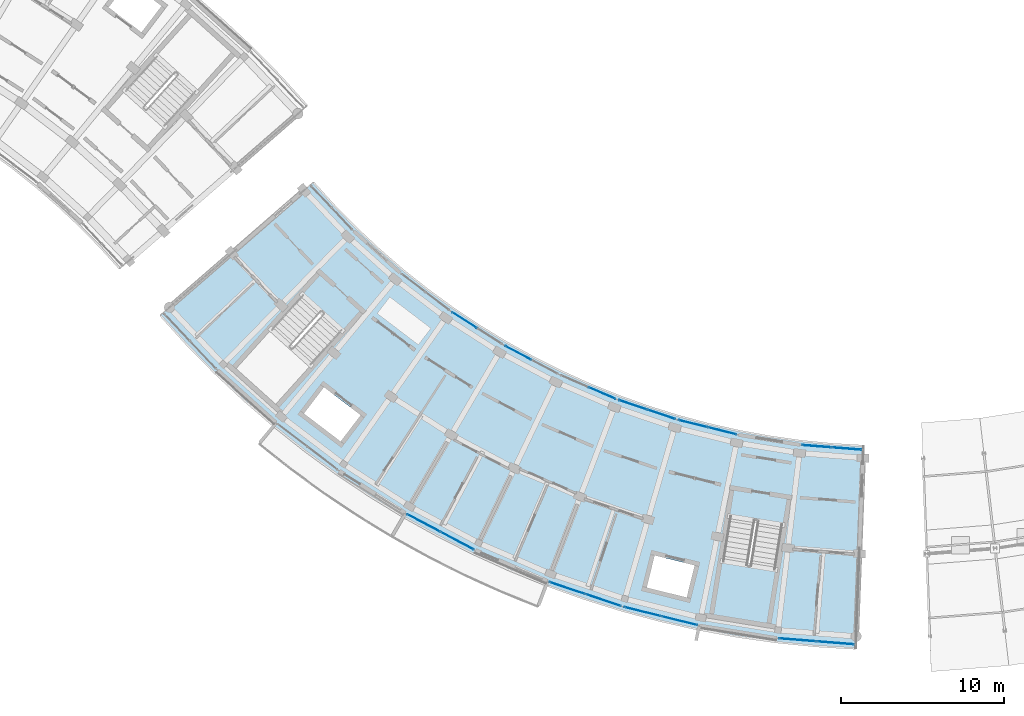
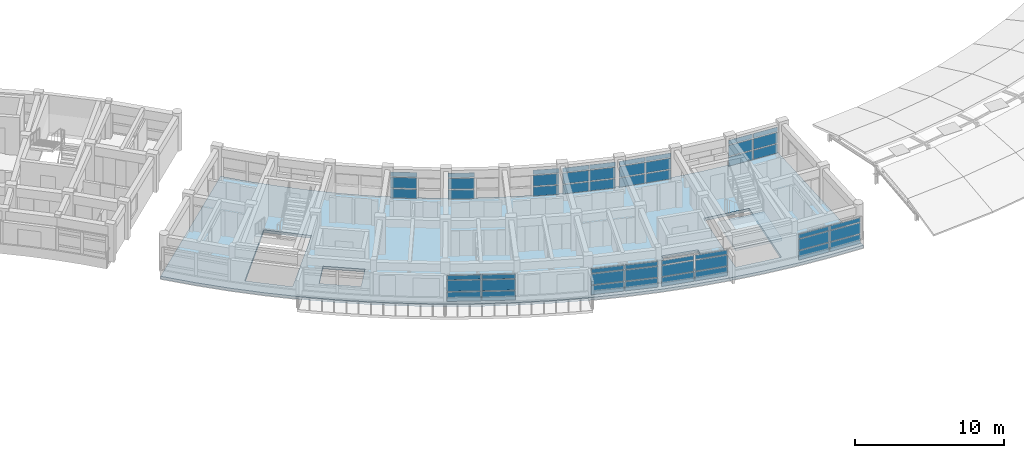
# One storey, part 26 of 50: 51 plates, 2 slabs, 11 elements without a shape of their own.
"""IFC4 building model written with IfcOpenShell, lengths in metres."""

from ifc_helpers import new_model, si_unit, direction, frame, origin, origin_2d, place, context, subcontext, project, spatial, polyline, rectangle, outline, extrude, material, layer, layer_set, type_object, element, aggregate, save


model = new_model("IFC4")

# Units and contexts
model_context = context("Model", 3, precision=1e-05, world=origin(), true_north=direction((0.0, 1.0)))
body_context = subcontext(model_context, "Body", "Model", "MODEL_VIEW")
ifc_project = project(units=[si_unit("LENGTHUNIT", "METRE"), si_unit("AREAUNIT", "SQUARE_METRE"), si_unit("VOLUMEUNIT", "CUBIC_METRE"), si_unit("PLANEANGLEUNIT", "RADIAN"), si_unit("MASSUNIT", "GRAM", prefix="KILO")], contexts=[model_context])

# Site, building, storey
site_placement = place(None, origin())
site = spatial("IfcSite", under=ifc_project, at=site_placement, CompositionType="ELEMENT")
building_placement = place(site_placement, origin())
building = spatial("IfcBuilding", under=site, at=building_placement, Name="Zimvara Arc Housing Community", CompositionType="ELEMENT")
storey_placement = place(building_placement, frame((0.0, 0.0, 26.699951171875)))
storey = spatial("IfcBuildingStorey", under=building, at=storey_placement, Name="L08", CompositionType="ELEMENT", Elevation=26.699951171875)

# Curtain wall, plates
ifc_material_1 = material(Name="Anodised Aluminium AW-6063", Category="aluminium")
curtain_wall_type_1 = type_object("IfcCurtainWallType", Name="CW-SYS-04", PredefinedType="USERDEFINED", material=ifc_material_1)
curtain_wall_1_placement = place(storey_placement, origin())
curtain_wall_1 = element("IfcCurtainWall", 1, at=curtain_wall_1_placement, inside=storey, type_object=curtain_wall_type_1, Name="cw:blkC:L08:out:b4", ObjectType="CURTAIN WALL", PredefinedType="USERDEFINED")
ifc_material_2 = material(Name="Pale-Gold Anodised Aluminium Spandrel Panel", Category="aluminium")
ifc_layer_1 = layer(ifc_material_2, 0.035888671875)
ifc_layer_set_1 = layer_set([ifc_layer_1], Name="Pale-Gold Anodised Aluminium Spandrel Panel")
plate_type_1 = type_object("IfcPlateType", Name="CWP-GLD-36", PredefinedType="CURTAIN_PANEL", material=ifc_layer_set_1)
plate_1_placement = place(storey_placement, frame((97.15087890625, 57.991455078125, 0.065185546875), z_axis=(0.0, 0.0, 1.0), x_axis=(0.883438614651, -0.468546917761, 0.0)))
plate_1 = element("IfcPlate", 2, at=plate_1_placement, type_object=plate_type_1, Name="CW04 panel 1.1", PredefinedType="CURTAIN_PANEL", context=body_context, shape_type="SweptSolid", body=[
    extrude(rectangle(XDim=2.266845703125, YDim=0.035888671875, at=origin_2d()), origin(), (0.0, 0.0, 1.0), 0.75244140625),
])
plate_2_placement = place(storey_placement, frame((97.15087890625, 57.991455078125, 0.88232421875), z_axis=(0.0, 0.0, 1.0), x_axis=(0.883438614651, -0.468546917761, 0.0)))
plate_2 = element("IfcPlate", 3, at=plate_2_placement, type_object=plate_type_1, Name="CW04 panel 1.2", PredefinedType="CURTAIN_PANEL", context=body_context, shape_type="SweptSolid", body=[
    extrude(rectangle(XDim=2.266845703125, YDim=0.035888671875, at=origin_2d()), origin(), (0.0, 0.0, 1.0), 0.885009765625),
])
plate_3_placement = place(storey_placement, frame((97.15087890625, 57.991455078125, 1.83251953125), z_axis=(0.0, 0.0, 1.0), x_axis=(0.883438614651, -0.468546917761, 0.0)))
plate_3 = element("IfcPlate", 4, at=plate_3_placement, type_object=plate_type_1, Name="CW04 panel 1.3", PredefinedType="CURTAIN_PANEL", context=body_context, shape_type="SweptSolid", body=[
    extrude(rectangle(XDim=2.266845703125, YDim=0.035888671875, at=origin_2d()), origin(), (0.0, 0.0, 1.0), 0.3525390625),
])
plate_4_placement = place(storey_placement, frame((99.2109375, 56.89892578125, 0.065185546875), z_axis=(0.0, 0.0, 1.0), x_axis=(0.883438614651, -0.468546917761, 0.0)))
plate_4 = element("IfcPlate", 5, at=plate_4_placement, type_object=plate_type_1, Name="CW04 panel 2.1", PredefinedType="CURTAIN_PANEL", context=body_context, shape_type="SweptSolid", body=[
    extrude(rectangle(XDim=2.266845703125, YDim=0.035888671875, at=origin_2d()), origin(), (0.0, 0.0, 1.0), 0.75244140625),
])
plate_5_placement = place(storey_placement, frame((99.2109375, 56.89892578125, 0.88232421875), z_axis=(0.0, 0.0, 1.0), x_axis=(0.883438614651, -0.468546917761, 0.0)))
plate_5 = element("IfcPlate", 6, at=plate_5_placement, type_object=plate_type_1, Name="CW04 panel 2.2", PredefinedType="CURTAIN_PANEL", context=body_context, shape_type="SweptSolid", body=[
    extrude(rectangle(XDim=2.266845703125, YDim=0.035888671875, at=origin_2d()), origin(), (0.0, 0.0, 1.0), 0.885009765625),
])
plate_6_placement = place(storey_placement, frame((99.2109375, 56.89892578125, 1.83251953125), z_axis=(0.0, 0.0, 1.0), x_axis=(0.883438614651, -0.468546917761, 0.0)))
plate_6 = element("IfcPlate", 7, at=plate_6_placement, type_object=plate_type_1, Name="CW04 panel 2.3", PredefinedType="CURTAIN_PANEL", context=body_context, shape_type="SweptSolid", body=[
    extrude(rectangle(XDim=2.266845703125, YDim=0.035888671875, at=origin_2d()), origin(), (0.0, 0.0, 1.0), 0.3525390625),
])
aggregate(curtain_wall_1, [plate_1, plate_2, plate_3, plate_4, plate_5, plate_6])

ifc_material_3 = material(Name="Anodised Aluminium AW-6063", Category="aluminium")
curtain_wall_type_2 = type_object("IfcCurtainWallType", Name="CW-SYS-08", PredefinedType="USERDEFINED", material=ifc_material_3)
curtain_wall_2_placement = place(storey_placement, origin())
curtain_wall_2 = element("IfcCurtainWall", 8, at=curtain_wall_2_placement, inside=storey, type_object=curtain_wall_type_2, Name="cw:blkC:L08:in:b6", ObjectType="CURTAIN WALL", PredefinedType="USERDEFINED")
plate_7_placement = place(storey_placement, frame((110.009521484375, 65.24267578125, 0.065185546875), z_axis=(0.0, 0.0, 1.0), x_axis=(0.94788021002, -0.318626909491, 0.0)))
plate_7 = element("IfcPlate", 9, at=plate_7_placement, type_object=plate_type_1, Name="CW08 panel 1.1", PredefinedType="CURTAIN_PANEL", context=body_context, shape_type="SweptSolid", body=[
    extrude(rectangle(XDim=1.778564453125, YDim=0.035888671875, at=origin_2d()), origin(), (0.0, 0.0, 1.0), 0.75244140625),
])
plate_8_placement = place(storey_placement, frame((110.009521484375, 65.24267578125, 0.88232421875), z_axis=(0.0, 0.0, 1.0), x_axis=(0.94788021002, -0.318626909491, 0.0)))
plate_8 = element("IfcPlate", 10, at=plate_8_placement, type_object=plate_type_1, Name="CW08 panel 1.2", PredefinedType="CURTAIN_PANEL", context=body_context, shape_type="SweptSolid", body=[
    extrude(rectangle(XDim=1.778564453125, YDim=0.035888671875, at=origin_2d()), origin(), (0.0, 0.0, 1.0), 0.885009765625),
])
plate_9_placement = place(storey_placement, frame((110.009521484375, 65.24267578125, 1.83251953125), z_axis=(0.0, 0.0, 1.0), x_axis=(0.94788021002, -0.318626909491, 0.0)))
plate_9 = element("IfcPlate", 11, at=plate_9_placement, type_object=plate_type_1, Name="CW08 panel 1.3", PredefinedType="CURTAIN_PANEL", context=body_context, shape_type="SweptSolid", body=[
    extrude(rectangle(XDim=1.778564453125, YDim=0.035888671875, at=origin_2d()), origin(), (0.0, 0.0, 1.0), 0.3525390625),
])
plate_10_placement = place(storey_placement, frame((111.757080078125, 64.6552734375, 0.065185546875), z_axis=(0.0, 0.0, 1.0), x_axis=(0.94788021002, -0.318626909491, 0.0)))
plate_10 = element("IfcPlate", 12, at=plate_10_placement, type_object=plate_type_1, Name="CW08 panel 2.1", PredefinedType="CURTAIN_PANEL", context=body_context, shape_type="SweptSolid", body=[
    extrude(rectangle(XDim=1.778564453125, YDim=0.035888671875, at=origin_2d()), origin(), (0.0, 0.0, 1.0), 0.75244140625),
])
plate_11_placement = place(storey_placement, frame((111.757080078125, 64.6552734375, 0.88232421875), z_axis=(0.0, 0.0, 1.0), x_axis=(0.94788021002, -0.318626909491, 0.0)))
plate_11 = element("IfcPlate", 13, at=plate_11_placement, type_object=plate_type_1, Name="CW08 panel 2.2", PredefinedType="CURTAIN_PANEL", context=body_context, shape_type="SweptSolid", body=[
    extrude(rectangle(XDim=1.778564453125, YDim=0.035888671875, at=origin_2d()), origin(), (0.0, 0.0, 1.0), 0.885009765625),
])
plate_12_placement = place(storey_placement, frame((111.757080078125, 64.6552734375, 1.83251953125), z_axis=(0.0, 0.0, 1.0), x_axis=(0.94788021002, -0.318626909491, 0.0)))
plate_12 = element("IfcPlate", 14, at=plate_12_placement, type_object=plate_type_1, Name="CW08 panel 2.3", PredefinedType="CURTAIN_PANEL", context=body_context, shape_type="SweptSolid", body=[
    extrude(rectangle(XDim=1.778564453125, YDim=0.035888671875, at=origin_2d()), origin(), (0.0, 0.0, 1.0), 0.3525390625),
])
aggregate(curtain_wall_2, [plate_7, plate_8, plate_9, plate_10, plate_11, plate_12])

curtain_wall_3_placement = place(storey_placement, origin())
curtain_wall_3 = element("IfcCurtainWall", 15, at=curtain_wall_3_placement, inside=storey, type_object=curtain_wall_type_1, Name="cw:blkC:L08:in:b9", ObjectType="CURTAIN WALL", PredefinedType="USERDEFINED")
plate_13_placement = place(storey_placement, frame((121.310791015625, 62.701171875, 0.065185546875), z_axis=(0.0, 0.0, 1.0), x_axis=(0.996862312384, -0.079155101851, 0.0)))
plate_13 = element("IfcPlate", 16, at=plate_13_placement, type_object=plate_type_1, Name="CW04 panel 1.1", PredefinedType="CURTAIN_PANEL", context=body_context, shape_type="SweptSolid", body=[
    extrude(rectangle(XDim=1.778564453125, YDim=0.035888671875, at=origin_2d()), origin(), (0.0, 0.0, 1.0), 0.75244140625),
])
plate_14_placement = place(storey_placement, frame((121.310791015625, 62.701171875, 0.88232421875), z_axis=(0.0, 0.0, 1.0), x_axis=(0.996862312384, -0.079155101851, 0.0)))
plate_14 = element("IfcPlate", 17, at=plate_14_placement, type_object=plate_type_1, Name="CW04 panel 1.2", PredefinedType="CURTAIN_PANEL", context=body_context, shape_type="SweptSolid", body=[
    extrude(rectangle(XDim=1.778564453125, YDim=0.035888671875, at=origin_2d()), origin(), (0.0, 0.0, 1.0), 0.885009765625),
])
plate_15_placement = place(storey_placement, frame((121.310791015625, 62.701171875, 1.83251953125), z_axis=(0.0, 0.0, 1.0), x_axis=(0.996862312384, -0.079155101851, 0.0)))
plate_15 = element("IfcPlate", 18, at=plate_15_placement, type_object=plate_type_1, Name="CW04 panel 1.3", PredefinedType="CURTAIN_PANEL", context=body_context, shape_type="SweptSolid", body=[
    extrude(rectangle(XDim=1.778564453125, YDim=0.035888671875, at=origin_2d()), origin(), (0.0, 0.0, 1.0), 0.3525390625),
])
plate_16_placement = place(storey_placement, frame((123.1484375, 62.55517578125, 0.065185546875), z_axis=(0.0, 0.0, 1.0), x_axis=(0.996862312384, -0.079155101851, 0.0)))
plate_16 = element("IfcPlate", 19, at=plate_16_placement, type_object=plate_type_1, Name="CW04 panel 2.1", PredefinedType="CURTAIN_PANEL", context=body_context, shape_type="SweptSolid", body=[
    extrude(rectangle(XDim=1.778564453125, YDim=0.035888671875, at=origin_2d()), origin(), (0.0, 0.0, 1.0), 0.75244140625),
])
plate_17_placement = place(storey_placement, frame((123.1484375, 62.55517578125, 0.88232421875), z_axis=(0.0, 0.0, 1.0), x_axis=(0.996862312384, -0.079155101851, 0.0)))
plate_17 = element("IfcPlate", 20, at=plate_17_placement, type_object=plate_type_1, Name="CW04 panel 2.2", PredefinedType="CURTAIN_PANEL", context=body_context, shape_type="SweptSolid", body=[
    extrude(rectangle(XDim=1.778564453125, YDim=0.035888671875, at=origin_2d()), origin(), (0.0, 0.0, 1.0), 0.885009765625),
])
plate_18_placement = place(storey_placement, frame((123.1484375, 62.55517578125, 1.83251953125), z_axis=(0.0, 0.0, 1.0), x_axis=(0.996862312384, -0.079155101851, 0.0)))
plate_18 = element("IfcPlate", 21, at=plate_18_placement, type_object=plate_type_1, Name="CW04 panel 2.3", PredefinedType="CURTAIN_PANEL", context=body_context, shape_type="SweptSolid", body=[
    extrude(rectangle(XDim=1.778564453125, YDim=0.035888671875, at=origin_2d()), origin(), (0.0, 0.0, 1.0), 0.3525390625),
])
aggregate(curtain_wall_3, [plate_13, plate_14, plate_15, plate_16, plate_17, plate_18])

ifc_material_4 = material(Name="Anodised Aluminium AW-6063", Category="aluminium")
curtain_wall_type_3 = type_object("IfcCurtainWallType", Name="CW-SYS-05", PredefinedType="USERDEFINED", material=ifc_material_4)
curtain_wall_4_placement = place(storey_placement, origin())
curtain_wall_4 = element("IfcCurtainWall", 22, at=curtain_wall_4_placement, inside=storey, type_object=curtain_wall_type_3, Name="cw:blkC:L08:in:b4", ObjectType="CURTAIN WALL", PredefinedType="USERDEFINED")
ifc_material_5 = material(Name="Solar Control Low-E Double Glazing", Category="glass")
ifc_layer_2 = layer(ifc_material_5, 0.02392578125)
ifc_layer_set_2 = layer_set([ifc_layer_2], Name="Solar Control Low-E Double Glazing")
plate_type_2 = type_object("IfcPlateType", Name="CWP-GLZ-24", PredefinedType="CURTAIN_PANEL", material=ifc_layer_set_2)
plate_19_placement = place(storey_placement, frame((102.965576171875, 68.43408203125, 0.065185546875), z_axis=(0.0, 0.0, 1.0), x_axis=(0.883438518424, -0.468547099195, 0.0)))
plate_19 = element("IfcPlate", 23, at=plate_19_placement, type_object=plate_type_2, Name="CW05 panel 1.1", PredefinedType="CURTAIN_PANEL", context=body_context, shape_type="SweptSolid", body=[
    extrude(rectangle(XDim=1.778564453125, YDim=0.02392578125, at=origin_2d()), origin(), (0.0, 0.0, 1.0), 0.75244140625),
])
plate_20_placement = place(storey_placement, frame((102.965576171875, 68.43408203125, 0.88232421875), z_axis=(0.0, 0.0, 1.0), x_axis=(0.883438518424, -0.468547099195, 0.0)))
plate_20 = element("IfcPlate", 24, at=plate_20_placement, type_object=plate_type_2, Name="CW05 panel 1.2", PredefinedType="CURTAIN_PANEL", context=body_context, shape_type="SweptSolid", body=[
    extrude(rectangle(XDim=1.778564453125, YDim=0.02392578125, at=origin_2d()), origin(), (0.0, 0.0, 1.0), 0.885009765625),
])
plate_21_placement = place(storey_placement, frame((102.965576171875, 68.43408203125, 1.83251953125), z_axis=(0.0, 0.0, 1.0), x_axis=(0.883438518424, -0.468547099195, 0.0)))
plate_21 = element("IfcPlate", 25, at=plate_21_placement, type_object=plate_type_2, Name="CW05 panel 1.3", PredefinedType="CURTAIN_PANEL", context=body_context, shape_type="SweptSolid", body=[
    extrude(rectangle(XDim=1.778564453125, YDim=0.02392578125, at=origin_2d()), origin(), (0.0, 0.0, 1.0), 0.3525390625),
])
aggregate(curtain_wall_4, [plate_19, plate_20, plate_21])

ifc_material_6 = material(Name="Anodised Aluminium AW-6063", Category="aluminium")
curtain_wall_type_4 = type_object("IfcCurtainWallType", Name="CW-SYS-01", PredefinedType="USERDEFINED", material=ifc_material_6)
curtain_wall_5_placement = place(storey_placement, origin())
curtain_wall_5 = element("IfcCurtainWall", 26, at=curtain_wall_5_placement, inside=storey, type_object=curtain_wall_type_4, Name="cw:blkC:L08:out:b7", ObjectType="CURTAIN WALL", PredefinedType="USERDEFINED")
plate_22_placement = place(storey_placement, frame((110.59521484375, 52.547119140625, 0.065185546875), z_axis=(0.0, 0.0, 1.0), x_axis=(0.970716068627, -0.240229711131, 0.0)))
plate_22 = element("IfcPlate", 27, at=plate_22_placement, type_object=plate_type_2, Name="CW01 panel 1.1", PredefinedType="CURTAIN_PANEL", context=body_context, shape_type="SweptSolid", body=[
    extrude(rectangle(XDim=2.266845703125, YDim=0.02392578125, at=origin_2d()), origin(), (0.0, 0.0, 1.0), 0.75244140625),
])
plate_23_placement = place(storey_placement, frame((110.59521484375, 52.547119140625, 0.88232421875), z_axis=(0.0, 0.0, 1.0), x_axis=(0.970716068627, -0.240229711131, 0.0)))
plate_23 = element("IfcPlate", 28, at=plate_23_placement, type_object=plate_type_2, Name="CW01 panel 1.2", PredefinedType="CURTAIN_PANEL", context=body_context, shape_type="SweptSolid", body=[
    extrude(rectangle(XDim=2.266845703125, YDim=0.02392578125, at=origin_2d()), origin(), (0.0, 0.0, 1.0), 0.885009765625),
])
plate_24_placement = place(storey_placement, frame((110.59521484375, 52.547119140625, 1.83251953125), z_axis=(0.0, 0.0, 1.0), x_axis=(0.970716068627, -0.240229711131, 0.0)))
plate_24 = element("IfcPlate", 29, at=plate_24_placement, type_object=plate_type_2, Name="CW01 panel 1.3", PredefinedType="CURTAIN_PANEL", context=body_context, shape_type="SweptSolid", body=[
    extrude(rectangle(XDim=2.266845703125, YDim=0.02392578125, at=origin_2d()), origin(), (0.0, 0.0, 1.0), 0.3525390625),
])
plate_25_placement = place(storey_placement, frame((112.85888671875, 51.98681640625, 0.065185546875), z_axis=(0.0, 0.0, 1.0), x_axis=(0.970716068627, -0.240229711131, 0.0)))
plate_25 = element("IfcPlate", 30, at=plate_25_placement, type_object=plate_type_2, Name="CW01 panel 2.1", PredefinedType="CURTAIN_PANEL", context=body_context, shape_type="SweptSolid", body=[
    extrude(rectangle(XDim=2.266845703125, YDim=0.02392578125, at=origin_2d()), origin(), (0.0, 0.0, 1.0), 0.75244140625),
])
plate_26_placement = place(storey_placement, frame((112.85888671875, 51.98681640625, 0.88232421875), z_axis=(0.0, 0.0, 1.0), x_axis=(0.970716068627, -0.240229711131, 0.0)))
plate_26 = element("IfcPlate", 31, at=plate_26_placement, type_object=plate_type_2, Name="CW01 panel 2.2", PredefinedType="CURTAIN_PANEL", context=body_context, shape_type="SweptSolid", body=[
    extrude(rectangle(XDim=2.266845703125, YDim=0.02392578125, at=origin_2d()), origin(), (0.0, 0.0, 1.0), 0.885009765625),
])
plate_27_placement = place(storey_placement, frame((112.85888671875, 51.98681640625, 1.83251953125), z_axis=(0.0, 0.0, 1.0), x_axis=(0.970716068627, -0.240229711131, 0.0)))
plate_27 = element("IfcPlate", 32, at=plate_27_placement, type_object=plate_type_2, Name="CW01 panel 2.3", PredefinedType="CURTAIN_PANEL", context=body_context, shape_type="SweptSolid", body=[
    extrude(rectangle(XDim=2.266845703125, YDim=0.02392578125, at=origin_2d()), origin(), (0.0, 0.0, 1.0), 0.3525390625),
])
aggregate(curtain_wall_5, [plate_22, plate_23, plate_24, plate_25, plate_26, plate_27])

ifc_material_7 = material(Name="Anodised Aluminium AW-6063", Category="aluminium")
curtain_wall_type_5 = type_object("IfcCurtainWallType", Name="CW-SYS-06", PredefinedType="USERDEFINED", material=ifc_material_7)
curtain_wall_6_placement = place(storey_placement, origin())
curtain_wall_6 = element("IfcCurtainWall", 33, at=curtain_wall_6_placement, inside=storey, type_object=curtain_wall_type_5, Name="cw:blkC:L08:in:b5", ObjectType="CURTAIN WALL", PredefinedType="USERDEFINED")
ifc_material_8 = material(Name="Solar Control Low-E Double Glazing", Category="glass")
ifc_layer_3 = layer(ifc_material_8, 0.028076171875)
ifc_layer_set_3 = layer_set([ifc_layer_3], Name="Solar Control Low-E Double Glazing")
plate_type_3 = type_object("IfcPlateType", Name="CWP-GLZ-28", PredefinedType="CURTAIN_PANEL", material=ifc_layer_set_3)
plate_28_placement = place(storey_placement, frame((108.1162109375, 65.966552734375, 0.065185546875), z_axis=(0.0, 0.0, 1.0), x_axis=(0.918722411261, -0.394903951674, 0.0)))
plate_28 = element("IfcPlate", 34, at=plate_28_placement, type_object=plate_type_3, Name="CW06 panel 2.1", PredefinedType="CURTAIN_PANEL", context=body_context, shape_type="SweptSolid", body=[
    extrude(rectangle(XDim=1.778564453125, YDim=0.028076171875, at=origin_2d()), origin(), (0.0, 0.0, 1.0), 0.75244140625),
])
plate_29_placement = place(storey_placement, frame((108.1162109375, 65.966552734375, 0.88232421875), z_axis=(0.0, 0.0, 1.0), x_axis=(0.918722411261, -0.394903951674, 0.0)))
plate_29 = element("IfcPlate", 35, at=plate_29_placement, type_object=plate_type_3, Name="CW06 panel 2.2", PredefinedType="CURTAIN_PANEL", context=body_context, shape_type="SweptSolid", body=[
    extrude(rectangle(XDim=1.778564453125, YDim=0.028076171875, at=origin_2d()), origin(), (0.0, 0.0, 1.0), 0.885009765625),
])
plate_30_placement = place(storey_placement, frame((108.1162109375, 65.966552734375, 1.83251953125), z_axis=(0.0, 0.0, 1.0), x_axis=(0.918722411261, -0.394903951674, 0.0)))
plate_30 = element("IfcPlate", 36, at=plate_30_placement, type_object=plate_type_3, Name="CW06 panel 2.3", PredefinedType="CURTAIN_PANEL", context=body_context, shape_type="SweptSolid", body=[
    extrude(rectangle(XDim=1.778564453125, YDim=0.028076171875, at=origin_2d()), origin(), (0.0, 0.0, 1.0), 0.3525390625),
])
aggregate(curtain_wall_6, [plate_28, plate_29, plate_30])

ifc_material_9 = material(Name="Anodised Aluminium AW-6063", Category="aluminium")
curtain_wall_type_6 = type_object("IfcCurtainWallType", Name="CW-SYS-02", PredefinedType="USERDEFINED", material=ifc_material_9)
curtain_wall_7_placement = place(storey_placement, origin())
curtain_wall_7 = element("IfcCurtainWall", 37, at=curtain_wall_7_placement, inside=storey, type_object=curtain_wall_type_6, Name="cw:blkC:L08:in:b7", ObjectType="CURTAIN WALL", PredefinedType="USERDEFINED")
plate_31_placement = place(storey_placement, frame((113.703125, 64.08837890625, 0.065185546875), z_axis=(0.0, 0.0, 1.0), x_axis=(0.970716198507, -0.240229186313, 0.0)))
plate_31 = element("IfcPlate", 38, at=plate_31_placement, type_object=plate_type_3, Name="CW02 panel 1.1", PredefinedType="CURTAIN_PANEL", context=body_context, shape_type="SweptSolid", body=[
    extrude(rectangle(XDim=1.778564453125, YDim=0.028076171875, at=origin_2d()), origin(), (0.0, 0.0, 1.0), 0.75244140625),
])
plate_32_placement = place(storey_placement, frame((113.703125, 64.08837890625, 0.88232421875), z_axis=(0.0, 0.0, 1.0), x_axis=(0.970716198507, -0.240229186313, 0.0)))
plate_32 = element("IfcPlate", 39, at=plate_32_placement, type_object=plate_type_3, Name="CW02 panel 1.2", PredefinedType="CURTAIN_PANEL", context=body_context, shape_type="SweptSolid", body=[
    extrude(rectangle(XDim=1.778564453125, YDim=0.028076171875, at=origin_2d()), origin(), (0.0, 0.0, 1.0), 0.885009765625),
])
plate_33_placement = place(storey_placement, frame((113.703125, 64.08837890625, 1.83251953125), z_axis=(0.0, 0.0, 1.0), x_axis=(0.970716198507, -0.240229186313, 0.0)))
plate_33 = element("IfcPlate", 40, at=plate_33_placement, type_object=plate_type_3, Name="CW02 panel 1.3", PredefinedType="CURTAIN_PANEL", context=body_context, shape_type="SweptSolid", body=[
    extrude(rectangle(XDim=1.778564453125, YDim=0.028076171875, at=origin_2d()), origin(), (0.0, 0.0, 1.0), 0.3525390625),
])
plate_34_placement = place(storey_placement, frame((115.49267578125, 63.6455078125, 0.065185546875), z_axis=(0.0, 0.0, 1.0), x_axis=(0.970716198507, -0.240229186313, 0.0)))
plate_34 = element("IfcPlate", 41, at=plate_34_placement, type_object=plate_type_3, Name="CW02 panel 2.1", PredefinedType="CURTAIN_PANEL", context=body_context, shape_type="SweptSolid", body=[
    extrude(rectangle(XDim=1.778564453125, YDim=0.028076171875, at=origin_2d()), origin(), (0.0, 0.0, 1.0), 0.75244140625),
])
plate_35_placement = place(storey_placement, frame((115.49267578125, 63.6455078125, 0.88232421875), z_axis=(0.0, 0.0, 1.0), x_axis=(0.970716198507, -0.240229186313, 0.0)))
plate_35 = element("IfcPlate", 42, at=plate_35_placement, type_object=plate_type_3, Name="CW02 panel 2.2", PredefinedType="CURTAIN_PANEL", context=body_context, shape_type="SweptSolid", body=[
    extrude(rectangle(XDim=1.778564453125, YDim=0.028076171875, at=origin_2d()), origin(), (0.0, 0.0, 1.0), 0.885009765625),
])
plate_36_placement = place(storey_placement, frame((115.49267578125, 63.6455078125, 1.83251953125), z_axis=(0.0, 0.0, 1.0), x_axis=(0.970716198507, -0.240229186313, 0.0)))
plate_36 = element("IfcPlate", 43, at=plate_36_placement, type_object=plate_type_3, Name="CW02 panel 2.3", PredefinedType="CURTAIN_PANEL", context=body_context, shape_type="SweptSolid", body=[
    extrude(rectangle(XDim=1.778564453125, YDim=0.028076171875, at=origin_2d()), origin(), (0.0, 0.0, 1.0), 0.3525390625),
])
aggregate(curtain_wall_7, [plate_31, plate_32, plate_33, plate_34, plate_35, plate_36])

ifc_material_10 = material(Name="Anodised Aluminium AW-6063", Category="aluminium")
curtain_wall_type_7 = type_object("IfcCurtainWallType", Name="CW-SYS-03", PredefinedType="USERDEFINED", material=ifc_material_10)
curtain_wall_8_placement = place(storey_placement, origin())
curtain_wall_8 = element("IfcCurtainWall", 44, at=curtain_wall_8_placement, inside=storey, type_object=curtain_wall_type_7, Name="cw:blkC:L08:in:b3", ObjectType="CURTAIN WALL", PredefinedType="USERDEFINED")
ifc_material_11 = material(Name="Acoustic Laminated Solar Glazing", Category="glass")
ifc_layer_4 = layer(ifc_material_11, 0.031982421875)
ifc_layer_set_4 = layer_set([ifc_layer_4], Name="Acoustic Laminated Solar Glazing")
plate_type_4 = type_object("IfcPlateType", Name="CWP-GLZ-32", PredefinedType="CURTAIN_PANEL", material=ifc_layer_set_4)
plate_37_placement = place(storey_placement, frame((99.662353515625, 70.449951171875, 0.065185546875), z_axis=(0.0, 0.0, 1.0), x_axis=(0.842264092079, -0.539065115913, 0.0)))
plate_37 = element("IfcPlate", 45, at=plate_37_placement, type_object=plate_type_4, Name="CW03 panel 1.1", PredefinedType="CURTAIN_PANEL", context=body_context, shape_type="SweptSolid", body=[
    extrude(rectangle(XDim=1.778564453125, YDim=0.031982421875, at=origin_2d()), origin(), (0.0, 0.0, 1.0), 0.75244140625),
])
plate_38_placement = place(storey_placement, frame((99.662353515625, 70.449951171875, 0.88232421875), z_axis=(0.0, 0.0, 1.0), x_axis=(0.842264092079, -0.539065115913, 0.0)))
plate_38 = element("IfcPlate", 46, at=plate_38_placement, type_object=plate_type_4, Name="CW03 panel 1.2", PredefinedType="CURTAIN_PANEL", context=body_context, shape_type="SweptSolid", body=[
    extrude(rectangle(XDim=1.778564453125, YDim=0.031982421875, at=origin_2d()), origin(), (0.0, 0.0, 1.0), 0.885009765625),
])
plate_39_placement = place(storey_placement, frame((99.662353515625, 70.449951171875, 1.83251953125), z_axis=(0.0, 0.0, 1.0), x_axis=(0.842264092079, -0.539065115913, 0.0)))
plate_39 = element("IfcPlate", 47, at=plate_39_placement, type_object=plate_type_4, Name="CW03 panel 1.3", PredefinedType="CURTAIN_PANEL", context=body_context, shape_type="SweptSolid", body=[
    extrude(rectangle(XDim=1.778564453125, YDim=0.031982421875, at=origin_2d()), origin(), (0.0, 0.0, 1.0), 0.3525390625),
])
aggregate(curtain_wall_8, [plate_37, plate_38, plate_39])

ifc_material_12 = material(Name="Anodised Aluminium AW-6063", Category="aluminium")
curtain_wall_type_8 = type_object("IfcCurtainWallType", Name="CW-SYS-07", PredefinedType="USERDEFINED", material=ifc_material_12)
curtain_wall_9_placement = place(storey_placement, origin())
curtain_wall_9 = element("IfcCurtainWall", 48, at=curtain_wall_9_placement, inside=storey, type_object=curtain_wall_type_8, Name="cw:blkC:L08:out:b6", ObjectType="CURTAIN WALL", PredefinedType="USERDEFINED")
plate_40_placement = place(storey_placement, frame((105.970458984375, 53.993408203125, 0.065185546875), z_axis=(0.0, 0.0, 1.0), x_axis=(0.947879647164, -0.318628583921, 0.0)))
plate_40 = element("IfcPlate", 49, at=plate_40_placement, type_object=plate_type_4, Name="CW07 panel 1.1", PredefinedType="CURTAIN_PANEL", context=body_context, shape_type="SweptSolid", body=[
    extrude(rectangle(XDim=2.266845703125, YDim=0.031982421875, at=origin_2d()), origin(), (0.0, 0.0, 1.0), 0.75244140625),
])
plate_41_placement = place(storey_placement, frame((105.970458984375, 53.993408203125, 0.88232421875), z_axis=(0.0, 0.0, 1.0), x_axis=(0.947879647164, -0.318628583921, 0.0)))
plate_41 = element("IfcPlate", 50, at=plate_41_placement, type_object=plate_type_4, Name="CW07 panel 1.2", PredefinedType="CURTAIN_PANEL", context=body_context, shape_type="SweptSolid", body=[
    extrude(rectangle(XDim=2.266845703125, YDim=0.031982421875, at=origin_2d()), origin(), (0.0, 0.0, 1.0), 0.885009765625),
])
plate_42_placement = place(storey_placement, frame((105.970458984375, 53.993408203125, 1.83251953125), z_axis=(0.0, 0.0, 1.0), x_axis=(0.947879647164, -0.318628583921, 0.0)))
plate_42 = element("IfcPlate", 51, at=plate_42_placement, type_object=plate_type_4, Name="CW07 panel 1.3", PredefinedType="CURTAIN_PANEL", context=body_context, shape_type="SweptSolid", body=[
    extrude(rectangle(XDim=2.266845703125, YDim=0.031982421875, at=origin_2d()), origin(), (0.0, 0.0, 1.0), 0.3525390625),
])
plate_43_placement = place(storey_placement, frame((108.180908203125, 53.250244140625, 0.065185546875), z_axis=(0.0, 0.0, 1.0), x_axis=(0.947879647164, -0.318628583921, 0.0)))
plate_43 = element("IfcPlate", 52, at=plate_43_placement, type_object=plate_type_4, Name="CW07 panel 2.1", PredefinedType="CURTAIN_PANEL", context=body_context, shape_type="SweptSolid", body=[
    extrude(rectangle(XDim=2.266845703125, YDim=0.031982421875, at=origin_2d()), origin(), (0.0, 0.0, 1.0), 0.75244140625),
])
plate_44_placement = place(storey_placement, frame((108.180908203125, 53.250244140625, 0.88232421875), z_axis=(0.0, 0.0, 1.0), x_axis=(0.947879647164, -0.318628583921, 0.0)))
plate_44 = element("IfcPlate", 53, at=plate_44_placement, type_object=plate_type_4, Name="CW07 panel 2.2", PredefinedType="CURTAIN_PANEL", context=body_context, shape_type="SweptSolid", body=[
    extrude(rectangle(XDim=2.266845703125, YDim=0.031982421875, at=origin_2d()), origin(), (0.0, 0.0, 1.0), 0.885009765625),
])
plate_45_placement = place(storey_placement, frame((108.180908203125, 53.250244140625, 1.83251953125), z_axis=(0.0, 0.0, 1.0), x_axis=(0.947879647164, -0.318628583921, 0.0)))
plate_45 = element("IfcPlate", 54, at=plate_45_placement, type_object=plate_type_4, Name="CW07 panel 2.3", PredefinedType="CURTAIN_PANEL", context=body_context, shape_type="SweptSolid", body=[
    extrude(rectangle(XDim=2.266845703125, YDim=0.031982421875, at=origin_2d()), origin(), (0.0, 0.0, 1.0), 0.3525390625),
])
aggregate(curtain_wall_9, [plate_40, plate_41, plate_42, plate_43, plate_44, plate_45])

curtain_wall_10_placement = place(storey_placement, origin())
curtain_wall_10 = element("IfcCurtainWall", 55, at=curtain_wall_10_placement, inside=storey, type_object=curtain_wall_type_7, Name="cw:blkC:L08:out:b9", ObjectType="CURTAIN WALL", PredefinedType="USERDEFINED")
plate_46_placement = place(storey_placement, frame((120.121337890625, 50.807861328125, 0.065185546875), z_axis=(0.0, 0.0, 1.0), x_axis=(0.996862418963, -0.079153759607, 0.0)))
plate_46 = element("IfcPlate", 56, at=plate_46_placement, type_object=plate_type_4, Name="CW03 panel 1.1", PredefinedType="CURTAIN_PANEL", context=body_context, shape_type="SweptSolid", body=[
    extrude(rectangle(XDim=2.266845703125, YDim=0.031982421875, at=origin_2d()), origin(), (0.0, 0.0, 1.0), 0.75244140625),
])
plate_47_placement = place(storey_placement, frame((120.121337890625, 50.807861328125, 0.88232421875), z_axis=(0.0, 0.0, 1.0), x_axis=(0.996862418963, -0.079153759607, 0.0)))
plate_47 = element("IfcPlate", 57, at=plate_47_placement, type_object=plate_type_4, Name="CW03 panel 1.2", PredefinedType="CURTAIN_PANEL", context=body_context, shape_type="SweptSolid", body=[
    extrude(rectangle(XDim=2.266845703125, YDim=0.031982421875, at=origin_2d()), origin(), (0.0, 0.0, 1.0), 0.885009765625),
])
plate_48_placement = place(storey_placement, frame((120.121337890625, 50.807861328125, 1.83251953125), z_axis=(0.0, 0.0, 1.0), x_axis=(0.996862418963, -0.079153759607, 0.0)))
plate_48 = element("IfcPlate", 58, at=plate_48_placement, type_object=plate_type_4, Name="CW03 panel 1.3", PredefinedType="CURTAIN_PANEL", context=body_context, shape_type="SweptSolid", body=[
    extrude(rectangle(XDim=2.266845703125, YDim=0.031982421875, at=origin_2d()), origin(), (0.0, 0.0, 1.0), 0.3525390625),
])
plate_49_placement = place(storey_placement, frame((122.446044921875, 50.623291015625, 0.065185546875), z_axis=(0.0, 0.0, 1.0), x_axis=(0.996862418963, -0.079153759607, 0.0)))
plate_49 = element("IfcPlate", 59, at=plate_49_placement, type_object=plate_type_4, Name="CW03 panel 2.1", PredefinedType="CURTAIN_PANEL", context=body_context, shape_type="SweptSolid", body=[
    extrude(rectangle(XDim=2.266845703125, YDim=0.031982421875, at=origin_2d()), origin(), (0.0, 0.0, 1.0), 0.75244140625),
])
plate_50_placement = place(storey_placement, frame((122.446044921875, 50.623291015625, 0.88232421875), z_axis=(0.0, 0.0, 1.0), x_axis=(0.996862418963, -0.079153759607, 0.0)))
plate_50 = element("IfcPlate", 60, at=plate_50_placement, type_object=plate_type_4, Name="CW03 panel 2.2", PredefinedType="CURTAIN_PANEL", context=body_context, shape_type="SweptSolid", body=[
    extrude(rectangle(XDim=2.266845703125, YDim=0.031982421875, at=origin_2d()), origin(), (0.0, 0.0, 1.0), 0.885009765625),
])
plate_51_placement = place(storey_placement, frame((122.446044921875, 50.623291015625, 1.83251953125), z_axis=(0.0, 0.0, 1.0), x_axis=(0.996862418963, -0.079153759607, 0.0)))
plate_51 = element("IfcPlate", 61, at=plate_51_placement, type_object=plate_type_4, Name="CW03 panel 2.3", PredefinedType="CURTAIN_PANEL", context=body_context, shape_type="SweptSolid", body=[
    extrude(rectangle(XDim=2.266845703125, YDim=0.031982421875, at=origin_2d()), origin(), (0.0, 0.0, 1.0), 0.3525390625),
])
aggregate(curtain_wall_10, [plate_46, plate_47, plate_48, plate_49, plate_50, plate_51])

# Stair, slab
ifc_material_13 = material(Name="Concrete C35/45", Category="concrete")
stair_type = type_object("IfcStairType", Name="STR-DL-310-310", PredefinedType="HALF_TURN_STAIR", material=ifc_material_13)
stair_placement = place(storey_placement, origin())
stair = element("IfcStair", 62, at=stair_placement, inside=storey, type_object=stair_type, Name="L08 Block C Exit Stair 2", PredefinedType="HALF_TURN_STAIR")
ifc_material_14 = material(Name="Concrete C35/45", Category="concrete")
ifc_layer_5 = layer(ifc_material_14, 0.199951171875)
ifc_layer_set_5 = layer_set([ifc_layer_5], Name="Concrete C35/45")
slab_type_1 = type_object("IfcSlabType", Name="SLB-STAIR-LND-200", PredefinedType="LANDING", material=ifc_layer_set_5)
slab_1_placement = place(storey_placement, frame((0.0, 0.0, 1.35009765625)))
slab_1 = element("IfcSlab", 63, at=slab_1_placement, type_object=slab_type_1, Name="ST-C2 landing 1", PredefinedType="LANDING", context=body_context, shape_type="SweptSolid", body=[
    extrude(outline(polyline([(115.4853515625, 55.691650390625), (114.942138671875, 52.345458984375), (118.2587890625, 51.80712890625), (118.8017578125, 55.1533203125), (115.4853515625, 55.691650390625)])), origin(), (0.0, 0.0, 1.0), 0.199951171875),
])
aggregate(stair, [slab_1])

# Slab
ifc_material_15 = material(Name="Concrete C35/45", Category="concrete")
ifc_layer_6 = layer(ifc_material_15, 0.219970703125)
ifc_layer_set_6 = layer_set([ifc_layer_6], Name="Concrete C35/45")
slab_type_2 = type_object("IfcSlabType", Name="SLB-TYP-220", PredefinedType="FLOOR", material=ifc_layer_set_6)
slab_2_placement = place(storey_placement, frame((0.0, 0.0, -0.219970703125)))
element("IfcSlab", 64, at=slab_2_placement, inside=storey, type_object=slab_type_2, Name="slab:blkC:L08:main", PredefinedType="FLOOR", context=body_context, shape_type="SweptSolid", body=[
    extrude(outline(polyline([(80.999267578125, 70.7587890625), (82.63330078125, 68.954833984375), (84.339599609375, 67.21923828125), (86.115234375, 65.5546875), (87.95751953125, 63.9638671875), (89.863037109375, 62.44970703125), (91.828857421875, 61.0146484375), (93.851806640625, 59.6611328125), (95.92822265625, 58.39111328125), (98.0546875, 57.20703125), (100.227783203125, 56.11083984375), (102.443603515625, 55.104248046875), (104.698974609375, 54.188720703125), (106.98974609375, 53.366455078125), (109.312255859375, 52.63818359375), (111.662353515625, 52.00537109375), (114.03662109375, 51.468994140625), (116.430419921875, 51.030029296875), (118.840576171875, 50.689208984375), (121.262451171875, 50.447021484375), (123.692138671875, 50.303955078125), (124.16796875, 62.69482421875), (122.243896484375, 62.80810546875), (120.325927734375, 63.0), (118.417236328125, 63.269775390625), (116.521484375, 63.617431640625), (114.641357421875, 64.042236328125), (112.780029296875, 64.54345703125), (110.940673828125, 65.1201171875), (109.12646484375, 65.771484375), (107.340576171875, 66.496337890625), (105.58544921875, 67.29345703125), (103.864501953125, 68.16162109375), (102.180419921875, 69.099365234375), (100.5361328125, 70.105224609375), (98.93408203125, 71.17724609375), (97.37744140625, 72.313720703125), (95.8681640625, 73.5126953125), (94.4091796875, 74.7724609375), (93.0029296875, 76.0908203125), (91.651611328125, 77.46533203125), (90.357666015625, 78.89404296875), (80.999267578125, 70.7587890625)]), holes=[polyline([(92.150390625, 69.81005859375), (88.070068359375, 65.275390625), (85.6318359375, 67.46923828125), (89.7119140625, 72.00390625), (92.150390625, 69.81005859375)]), polyline([(119.202880859375, 57.874267578125), (118.2255859375, 51.85302734375), (114.988037109375, 52.378662109375), (115.96533203125, 58.399658203125), (119.202880859375, 57.874267578125)]), polyline([(93.29541015625, 64.612060546875), (92.05908203125, 62.9892578125), (89.800048828125, 64.710205078125), (91.036376953125, 66.3330078125), (93.29541015625, 64.612060546875)]), polyline([(113.80810546875, 55.388916015625), (113.318115234375, 53.40869140625), (110.852294921875, 54.018798828125), (111.342529296875, 55.9990234375), (113.80810546875, 55.388916015625)])]), origin(), (0.0, 0.0, 1.0), 0.219970703125),
])

save(model, "model.ifc")
